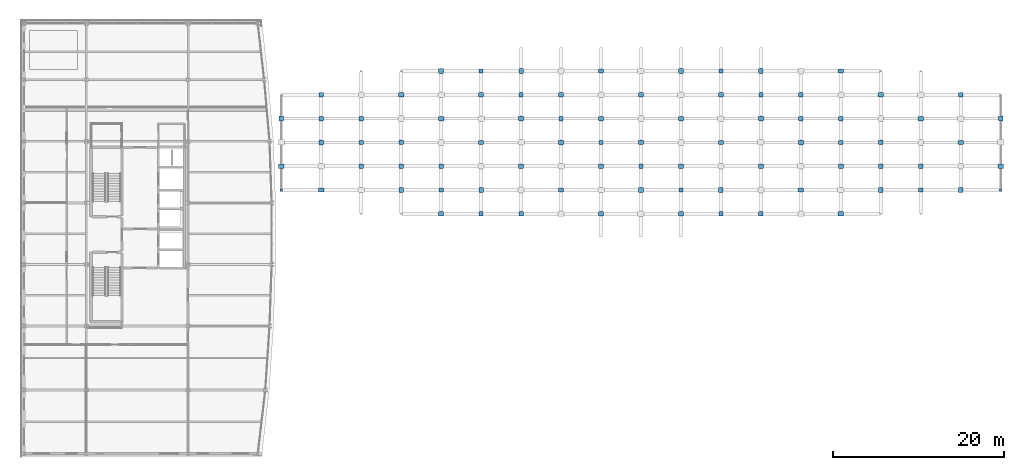
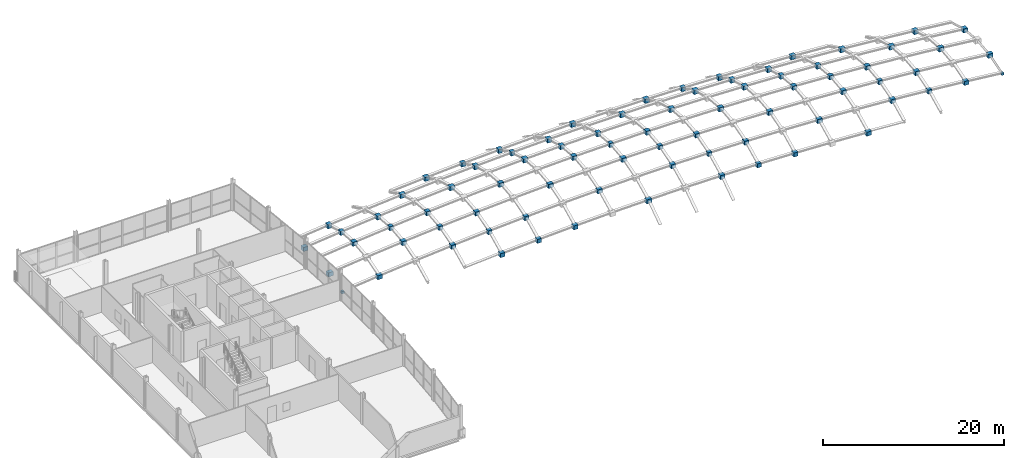
# One storey, part 22 of 36: 79 plates.
"""IFC4 building model written with IfcOpenShell, lengths in metres."""

from ifc_helpers import new_model, si_unit, direction, frame, origin, origin_2d, place, context, subcontext, project, spatial, rectangle, extrude, material, layer, layer_set, type_object, element, save


model = new_model("IFC4")

# Units and contexts
model_context = context("Model", 3, precision=1e-05, world=origin(), true_north=direction((0.0, 1.0)))
body_context = subcontext(model_context, "Body", "Model", "MODEL_VIEW")
ifc_project = project(units=[si_unit("LENGTHUNIT", "METRE"), si_unit("AREAUNIT", "SQUARE_METRE"), si_unit("VOLUMEUNIT", "CUBIC_METRE"), si_unit("PLANEANGLEUNIT", "RADIAN"), si_unit("MASSUNIT", "GRAM", prefix="KILO")], contexts=[model_context])

# Site, building, storey
site_placement = place(None, origin())
site = spatial("IfcSite", under=ifc_project, at=site_placement, CompositionType="ELEMENT")
building_placement = place(site_placement, origin())
building = spatial("IfcBuilding", under=site, at=building_placement, Name="Quillay Park Conservatory", CompositionType="ELEMENT")
storey_placement = place(building_placement, frame((0.0, 0.0, 18.300048828125)))
storey = spatial("IfcBuildingStorey", under=building, at=storey_placement, Name="L04", CompositionType="ELEMENT", Elevation=18.300048828125)

# Plates
ifc_material_1 = material(Name="Steel S355J2H", Category="steel")
ifc_layer_1 = layer(ifc_material_1, 0.031982421875)
ifc_layer_set_1 = layer_set([ifc_layer_1], Name="BOLTED GUSSET NODE PLATE GN01 (Steel S355J2H)")
plate_type_1 = type_object("IfcPlateType", Name="BOLTED GUSSET NODE PLATE GN01", PredefinedType="USERDEFINED", material=ifc_layer_set_1)
for number, where, z_axis, x_axis, name in (
    (1, (30.64990234375, 102.260009765625, 0.4013671875), (0.0, 0.0, 1.0), (1.0, 0.0, 0.0), "Conservatory gridshell star node GN01 (0,6)"),
    (2, (35.327880859375, 99.47509765625, 1.1435546875), (0.0, 0.0, 1.0), (1.0, 0.0, 0.0), "Conservatory gridshell star node GN01 (1,5)"),
    (3, (40.005615234375, 96.68994140625, 1.2880859375), (0.0, 0.0, 1.0), (1.0, 0.0, 0.0), "Conservatory gridshell star node GN01 (2,4)"),
    (4, (44.683349609375, 93.905029296875, 0.8349609375), (0.0, 0.0, 1.0), (1.0, 0.0, 0.0), "Conservatory gridshell star node GN01 (3,3)"),
    (5, (49.361083984375, 91.1201171875, -0.2158203125), (0.0, 0.0, 1.0), (1.0, 0.0, 0.0), "Conservatory gridshell star node GN01 (4,2)"),
    (6, (49.361083984375, 107.830078125, -0.0712890625), (0.0, 0.0, 1.0), (1.0, 0.0, 0.0), "Conservatory gridshell star node GN01 (4,8)"),
    (7, (54.038818359375, 105.044921875, 1.5146484375), (0.0, 0.0, 1.0), (1.0, 0.0, 0.0), "Conservatory gridshell star node GN01 (5,7)"),
    (8, (58.716796875, 102.260009765625, 2.4990234375), (0.0, 0.0, 1.0), (1.0, 0.0, 0.0), "Conservatory gridshell star node GN01 (6,6)"),
    (9, (63.394287109375, 99.47509765625, 2.8935546875), (0.0, 0.0, 1.0), (1.0, 0.0, 0.0), "Conservatory gridshell star node GN01 (7,5)"),
    (10, (68.072265625, 96.68994140625, 2.6865234375), (0.0, 0.0, 1.0), (1.0, 0.0, 0.0), "Conservatory gridshell star node GN01 (8,4)"),
    (11, (72.75, 93.905029296875, 1.8857421875), (0.0, 0.0, 1.0), (1.0, 0.0, 0.0), "Conservatory gridshell star node GN01 (9,3)"),
    (12, (77.427734375, 91.1201171875, 0.4833984375), (0.0, 0.0, 1.0), (1.0, 0.0, 0.0), "Conservatory gridshell star node GN01 (10,2)"),
    (13, (77.427734375, 107.830078125, 0.6279296875), (0.0, 0.0, 1.0), (1.0, 0.0, 0.0), "Conservatory gridshell star node GN01 (10,8)"),
    (14, (82.105712890625, 105.044921875, 1.8662109375), (0.0, 0.0, 1.0), (1.0, 0.0, 0.0), "Conservatory gridshell star node GN01 (11,7)"),
    (15, (86.783203125, 102.260009765625, 2.4990234375), (0.0, 0.0, 1.0), (1.0, 0.0, 0.0), "Conservatory gridshell star node GN01 (12,6)"),
    (16, (91.461181640625, 99.47509765625, 2.5419921875), (0.0, 0.0, 1.0), (1.0, 0.0, 0.0), "Conservatory gridshell star node GN01 (13,5)"),
    (17, (96.138916015625, 96.68994140625, 1.9873046875), (0.0, 0.0, 1.0), (1.0, 0.0, 0.0), "Conservatory gridshell star node GN01 (14,4)"),
    (18, (100.816650390625, 93.905029296875, 0.8349609375), (0.0, 0.0, 1.0), (1.0, 0.0, 0.0), "Conservatory gridshell star node GN01 (15,3)"),
    (19, (110.172119140625, 105.044921875, 0.1162109375), (0.0, 0.0, 1.0), (1.0, 0.0, 0.0), "Conservatory gridshell star node GN01 (17,7)"),
    (20, (114.85009765625, 102.260009765625, 0.4013671875), (0.0, 0.0, 1.0), (1.0, 0.0, 0.0), "Conservatory gridshell star node GN01 (18,6)"),
):
    element("IfcPlate", number, at=place(storey_placement, frame(where, z_axis=z_axis, x_axis=x_axis)), inside=storey, type_object=plate_type_1, Name=name, ObjectType="GUSSET PLATE", PredefinedType="USERDEFINED", context=body_context, shape_type="SweptSolid", body=[
        extrude(rectangle(XDim=0.56005859375, YDim=0.56005859375, at=origin_2d()), origin(), (0.0, 0.0, 1.0), 0.5400390625),
    ])
ifc_material_2 = material(Name="Steel S355J2H", Category="steel")
ifc_layer_2 = layer(ifc_material_2, 0.035888671875)
ifc_layer_set_2 = layer_set([ifc_layer_2], Name="BOLTED GUSSET NODE PLATE GN02 (Steel S355J2H)")
plate_type_2 = type_object("IfcPlateType", Name="BOLTED GUSSET NODE PLATE GN02", PredefinedType="USERDEFINED", material=ifc_layer_set_2)
for number, where, z_axis, x_axis, name in (
    (21, (35.327880859375, 102.260009765625, 0.8974609375), (0.0, 0.0, 1.0), (1.0, 0.0, 0.0), "Conservatory gridshell star node GN02 (1,6)"),
    (22, (40.005615234375, 99.47509765625, 1.5810546875), (0.0, 0.0, 1.0), (1.0, 0.0, 0.0), "Conservatory gridshell star node GN02 (2,5)"),
    (23, (44.683349609375, 96.68994140625, 1.6669921875), (0.0, 0.0, 1.0), (1.0, 0.0, 0.0), "Conservatory gridshell star node GN02 (3,4)"),
    (24, (49.361083984375, 93.905029296875, 1.1552734375), (0.0, 0.0, 1.0), (1.0, 0.0, 0.0), "Conservatory gridshell star node GN02 (4,3)"),
    (25, (54.038818359375, 91.1201171875, 0.0458984375), (0.0, 0.0, 1.0), (1.0, 0.0, 0.0), "Conservatory gridshell star node GN02 (5,2)"),
    (26, (54.038818359375, 107.830078125, 0.1904296875), (0.0, 0.0, 1.0), (1.0, 0.0, 0.0), "Conservatory gridshell star node GN02 (5,8)"),
    (27, (58.716796875, 105.044921875, 1.7177734375), (0.0, 0.0, 1.0), (1.0, 0.0, 0.0), "Conservatory gridshell star node GN02 (6,7)"),
    (28, (63.394287109375, 102.260009765625, 2.6474609375), (0.0, 0.0, 1.0), (1.0, 0.0, 0.0), "Conservatory gridshell star node GN02 (7,6)"),
    (29, (68.072265625, 99.47509765625, 2.9794921875), (0.0, 0.0, 1.0), (1.0, 0.0, 0.0), "Conservatory gridshell star node GN02 (8,5)"),
    (30, (72.75, 96.68994140625, 2.7177734375), (0.0, 0.0, 1.0), (1.0, 0.0, 0.0), "Conservatory gridshell star node GN02 (9,4)"),
    (31, (77.427734375, 93.905029296875, 1.8544921875), (0.0, 0.0, 1.0), (1.0, 0.0, 0.0), "Conservatory gridshell star node GN02 (10,3)"),
    (32, (82.105712890625, 91.1201171875, 0.3974609375), (0.0, 0.0, 1.0), (1.0, 0.0, 0.0), "Conservatory gridshell star node GN02 (11,2)"),
    (33, (82.105712890625, 107.830078125, 0.5419921875), (0.0, 0.0, 1.0), (1.0, 0.0, 0.0), "Conservatory gridshell star node GN02 (11,8)"),
    (34, (86.783203125, 105.044921875, 1.7177734375), (0.0, 0.0, 1.0), (1.0, 0.0, 0.0), "Conservatory gridshell star node GN02 (12,7)"),
    (35, (91.461181640625, 102.260009765625, 2.2958984375), (0.0, 0.0, 1.0), (1.0, 0.0, 0.0), "Conservatory gridshell star node GN02 (13,6)"),
    (36, (96.138916015625, 99.47509765625, 2.2802734375), (0.0, 0.0, 1.0), (1.0, 0.0, 0.0), "Conservatory gridshell star node GN02 (14,5)"),
    (37, (100.816650390625, 96.68994140625, 1.6669921875), (0.0, 0.0, 1.0), (1.0, 0.0, 0.0), "Conservatory gridshell star node GN02 (15,4)"),
    (38, (105.494384765625, 93.905029296875, 0.4560546875), (0.0, 0.0, 1.0), (1.0, 0.0, 0.0), "Conservatory gridshell star node GN02 (16,3)"),
):
    element("IfcPlate", number, at=place(storey_placement, frame(where, z_axis=z_axis, x_axis=x_axis)), inside=storey, type_object=plate_type_2, Name=name, ObjectType="GUSSET PLATE", PredefinedType="USERDEFINED", context=body_context, shape_type="SweptSolid", body=[
        extrude(rectangle(XDim=0.5, YDim=0.5, at=origin_2d()), origin(), (0.0, 0.0, 1.0), 0.5400390625),
    ])
ifc_material_3 = material(Name="Steel S355J2H", Category="steel")
ifc_layer_3 = layer(ifc_material_3, 0.0400390625)
ifc_layer_set_3 = layer_set([ifc_layer_3], Name="BOLTED GUSSET NODE PLATE GN03 (Steel S355J2H)")
plate_type_3 = type_object("IfcPlateType", Name="BOLTED GUSSET NODE PLATE GN03", PredefinedType="USERDEFINED", material=ifc_layer_set_3)
for number, where, z_axis, x_axis, name in (
    (39, (35.327880859375, 105.044921875, 0.1162109375), (0.0, 0.0, 1.0), (1.0, 0.0, 0.0), "Conservatory gridshell star node GN03 (1,7)"),
    (40, (40.005615234375, 102.260009765625, 1.3349609375), (0.0, 0.0, 1.0), (1.0, 0.0, 0.0), "Conservatory gridshell star node GN03 (2,6)"),
    (41, (44.683349609375, 99.47509765625, 1.9599609375), (0.0, 0.0, 1.0), (1.0, 0.0, 0.0), "Conservatory gridshell star node GN03 (3,5)"),
    (42, (49.361083984375, 96.68994140625, 1.9873046875), (0.0, 0.0, 1.0), (1.0, 0.0, 0.0), "Conservatory gridshell star node GN03 (4,4)"),
    (43, (54.038818359375, 93.905029296875, 1.4169921875), (0.0, 0.0, 1.0), (1.0, 0.0, 0.0), "Conservatory gridshell star node GN03 (5,3)"),
    (44, (58.716796875, 91.1201171875, 0.2490234375), (0.0, 0.0, 1.0), (1.0, 0.0, 0.0), "Conservatory gridshell star node GN03 (6,2)"),
    (45, (58.716796875, 107.830078125, 0.3935546875), (0.0, 0.0, 1.0), (1.0, 0.0, 0.0), "Conservatory gridshell star node GN03 (6,8)"),
    (46, (63.394287109375, 105.044921875, 1.8662109375), (0.0, 0.0, 1.0), (1.0, 0.0, 0.0), "Conservatory gridshell star node GN03 (7,7)"),
    (47, (68.072265625, 102.260009765625, 2.7333984375), (0.0, 0.0, 1.0), (1.0, 0.0, 0.0), "Conservatory gridshell star node GN03 (8,6)"),
    (48, (72.75, 99.47509765625, 3.0107421875), (0.0, 0.0, 1.0), (1.0, 0.0, 0.0), "Conservatory gridshell star node GN03 (9,5)"),
    (49, (77.427734375, 96.68994140625, 2.6865234375), (0.0, 0.0, 1.0), (1.0, 0.0, 0.0), "Conservatory gridshell star node GN03 (10,4)"),
    (50, (82.105712890625, 93.905029296875, 1.7685546875), (0.0, 0.0, 1.0), (1.0, 0.0, 0.0), "Conservatory gridshell star node GN03 (11,3)"),
    (51, (86.783203125, 91.1201171875, 0.2490234375), (0.0, 0.0, 1.0), (1.0, 0.0, 0.0), "Conservatory gridshell star node GN03 (12,2)"),
    (52, (86.783203125, 107.830078125, 0.3935546875), (0.0, 0.0, 1.0), (1.0, 0.0, 0.0), "Conservatory gridshell star node GN03 (12,8)"),
    (53, (91.461181640625, 105.044921875, 1.5146484375), (0.0, 0.0, 1.0), (1.0, 0.0, 0.0), "Conservatory gridshell star node GN03 (13,7)"),
    (54, (96.138916015625, 102.260009765625, 2.0341796875), (0.0, 0.0, 1.0), (1.0, 0.0, 0.0), "Conservatory gridshell star node GN03 (14,6)"),
    (55, (100.816650390625, 99.47509765625, 1.9599609375), (0.0, 0.0, 1.0), (1.0, 0.0, 0.0), "Conservatory gridshell star node GN03 (15,5)"),
    (56, (105.494384765625, 96.68994140625, 1.2880859375), (0.0, 0.0, 1.0), (1.0, 0.0, 0.0), "Conservatory gridshell star node GN03 (16,4)"),
    (57, (110.172119140625, 93.905029296875, 0.0185546875), (0.0, 0.0, 1.0), (1.0, 0.0, 0.0), "Conservatory gridshell star node GN03 (17,3)"),
):
    element("IfcPlate", number, at=place(storey_placement, frame(where, z_axis=z_axis, x_axis=x_axis)), inside=storey, type_object=plate_type_3, Name=name, ObjectType="GUSSET PLATE", PredefinedType="USERDEFINED", context=body_context, shape_type="SweptSolid", body=[
        extrude(rectangle(XDim=0.5400390625, YDim=0.5400390625, at=origin_2d()), origin(), (0.0, 0.0, 1.0), 0.5400390625),
    ])
ifc_material_4 = material(Name="Steel S355J2H", Category="steel")
ifc_layer_4 = layer(ifc_material_4, 0.048095703125)
ifc_layer_set_4 = layer_set([ifc_layer_4], Name="BOLTED GUSSET NODE PLATE GN05 (Steel S355J2H)")
plate_type_4 = type_object("IfcPlateType", Name="BOLTED GUSSET NODE PLATE GN05", PredefinedType="USERDEFINED", material=ifc_layer_set_4)
for number, where, z_axis, x_axis, name in (
    (58, (30.64990234375, 96.68994140625, 0.3544921875), (0.0, 0.0, 1.0), (1.0, 0.0, 0.0), "Conservatory gridshell star node GN05 (0,4)"),
    (59, (35.327880859375, 93.905029296875, 0.0185546875), (0.0, 0.0, 1.0), (1.0, 0.0, 0.0), "Conservatory gridshell star node GN05 (1,3)"),
    (60, (44.683349609375, 105.044921875, 0.9326171875), (0.0, 0.0, 1.0), (1.0, 0.0, 0.0), "Conservatory gridshell star node GN05 (3,7)"),
    (61, (49.361083984375, 102.260009765625, 2.0341796875), (0.0, 0.0, 1.0), (1.0, 0.0, 0.0), "Conservatory gridshell star node GN05 (4,6)"),
    (62, (54.038818359375, 99.47509765625, 2.5419921875), (0.0, 0.0, 1.0), (1.0, 0.0, 0.0), "Conservatory gridshell star node GN05 (5,5)"),
    (63, (58.716796875, 96.68994140625, 2.4521484375), (0.0, 0.0, 1.0), (1.0, 0.0, 0.0), "Conservatory gridshell star node GN05 (6,4)"),
    (64, (63.394287109375, 93.905029296875, 1.7685546875), (0.0, 0.0, 1.0), (1.0, 0.0, 0.0), "Conservatory gridshell star node GN05 (7,3)"),
    (65, (68.072265625, 91.1201171875, 0.4833984375), (0.0, 0.0, 1.0), (1.0, 0.0, 0.0), "Conservatory gridshell star node GN05 (8,2)"),
    (66, (68.072265625, 107.830078125, 0.6279296875), (0.0, 0.0, 1.0), (1.0, 0.0, 0.0), "Conservatory gridshell star node GN05 (8,8)"),
    (67, (72.75, 105.044921875, 1.9833984375), (0.0, 0.0, 1.0), (1.0, 0.0, 0.0), "Conservatory gridshell star node GN05 (9,7)"),
    (68, (77.427734375, 102.260009765625, 2.7333984375), (0.0, 0.0, 1.0), (1.0, 0.0, 0.0), "Conservatory gridshell star node GN05 (10,6)"),
    (69, (82.105712890625, 99.47509765625, 2.8935546875), (0.0, 0.0, 1.0), (1.0, 0.0, 0.0), "Conservatory gridshell star node GN05 (11,5)"),
    (70, (86.783203125, 96.68994140625, 2.4521484375), (0.0, 0.0, 1.0), (1.0, 0.0, 0.0), "Conservatory gridshell star node GN05 (12,4)"),
    (71, (91.461181640625, 93.905029296875, 1.4169921875), (0.0, 0.0, 1.0), (1.0, 0.0, 0.0), "Conservatory gridshell star node GN05 (13,3)"),
    (72, (96.138916015625, 91.1201171875, -0.2158203125), (0.0, 0.0, 1.0), (1.0, 0.0, 0.0), "Conservatory gridshell star node GN05 (14,2)"),
    (73, (96.138916015625, 107.830078125, -0.0712890625), (0.0, 0.0, 1.0), (1.0, 0.0, 0.0), "Conservatory gridshell star node GN05 (14,8)"),
    (74, (100.816650390625, 105.044921875, 0.9326171875), (0.0, 0.0, 1.0), (1.0, 0.0, 0.0), "Conservatory gridshell star node GN05 (15,7)"),
    (75, (105.494384765625, 102.260009765625, 1.3349609375), (0.0, 0.0, 1.0), (1.0, 0.0, 0.0), "Conservatory gridshell star node GN05 (16,6)"),
    (76, (110.172119140625, 99.47509765625, 1.1435546875), (0.0, 0.0, 1.0), (1.0, 0.0, 0.0), "Conservatory gridshell star node GN05 (17,5)"),
    (77, (114.85009765625, 96.68994140625, 0.3544921875), (0.0, 0.0, 1.0), (1.0, 0.0, 0.0), "Conservatory gridshell star node GN05 (18,4)"),
):
    element("IfcPlate", number, at=place(storey_placement, frame(where, z_axis=z_axis, x_axis=x_axis)), inside=storey, type_object=plate_type_4, Name=name, ObjectType="GUSSET PLATE", PredefinedType="USERDEFINED", context=body_context, shape_type="SweptSolid", body=[
        extrude(rectangle(XDim=0.6201171875, YDim=0.5, at=origin_2d()), origin(), (0.0, 0.0, 1.0), 0.5400390625),
    ])
ifc_material_5 = material(Name="Steel S355J2H", Category="steel")
ifc_layer_5 = layer(ifc_material_5, 0.02392578125)
ifc_layer_set_5 = layer_set([ifc_layer_5], Name="HOLLOW END CAP PLATE 290 (Steel S355J2H)")
plate_type_5 = type_object("IfcPlateType", Name="HOLLOW END CAP PLATE 290", PredefinedType="USERDEFINED", material=ifc_layer_set_5)
for number, where, z_axis, x_axis, name in (
    (78, (30.64990234375, 93.89453125, -0.36865234375), (0.0, 0.0, 1.0), (1.0, 0.0, 0.0), "Hollow steel end cap ECP-0137"),
    (79, (114.85009765625, 93.89453125, -0.36865234375), (0.0, 0.0, 1.0), (1.0, 0.0, 0.0), "Hollow steel end cap ECP-0160"),
):
    element("IfcPlate", number, at=place(storey_placement, frame(where, z_axis=z_axis, x_axis=x_axis)), inside=storey, type_object=plate_type_5, Name=name, ObjectType="FLANGE PLATE", PredefinedType="USERDEFINED", context=body_context, shape_type="SweptSolid", body=[
        extrude(rectangle(XDim=0.294921875, YDim=0.294921875, at=origin_2d()), origin(), (0.0, 0.0, 1.0), 0.31591796875),
    ])

save(model, "model.ifc")
